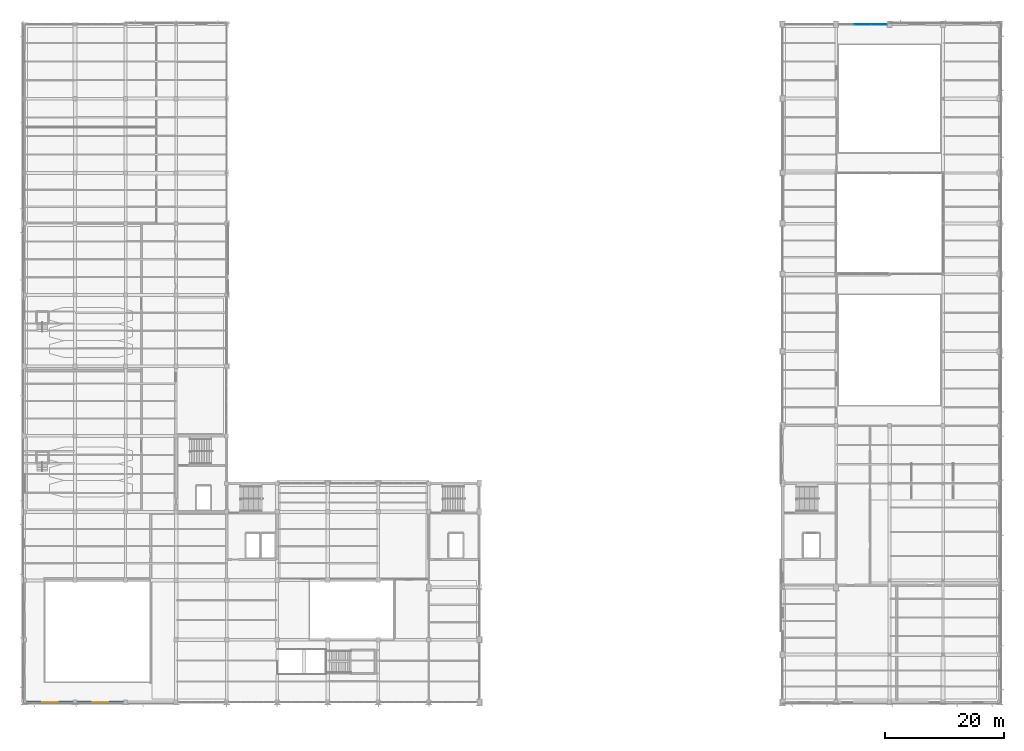
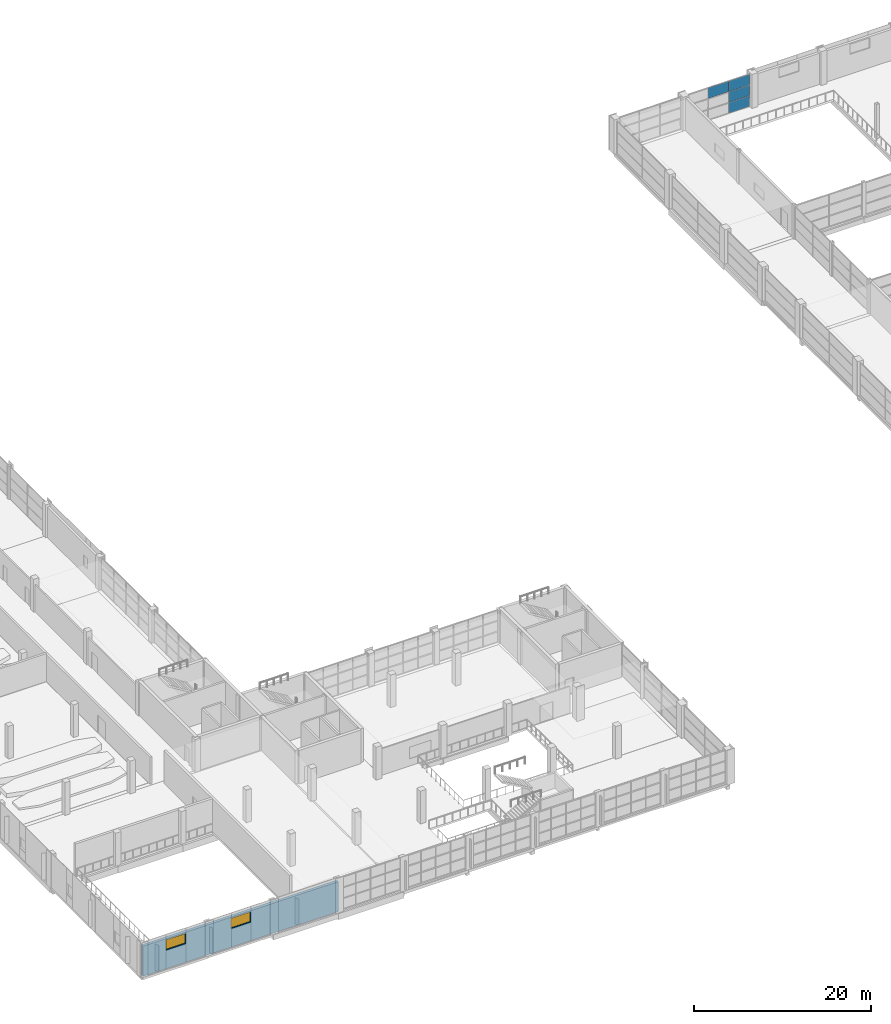
# One storey, part 89 of 112: 4 plates, 2 windows, 1 wall, 2 openings, 1 element without a shape of its own.
"""IFC4 building model written with IfcOpenShell, lengths in metres."""

from ifc_helpers import new_model, si_unit, direction, frame, frame_2d, origin, origin_with_axes, origin_2d, place, context, subcontext, project, spatial, rectangle, extrude, material, layer, layer_set, type_object, element, fill, aggregate, save


model = new_model("IFC4")

# Units and contexts
model_context = context("Model", 3, precision=1e-05, world=origin(), true_north=direction((0.0, 1.0)))
body_context = subcontext(model_context, "Body", "Model", "MODEL_VIEW")
ifc_project = project(units=[si_unit("LENGTHUNIT", "METRE"), si_unit("AREAUNIT", "SQUARE_METRE"), si_unit("VOLUMEUNIT", "CUBIC_METRE"), si_unit("PLANEANGLEUNIT", "RADIAN"), si_unit("MASSUNIT", "GRAM", prefix="KILO")], contexts=[model_context])

# Site, building, storey
site_placement = place(None, origin())
site = spatial("IfcSite", under=ifc_project, at=site_placement, CompositionType="ELEMENT")
building_placement = place(site_placement, origin())
building = spatial("IfcBuilding", under=site, at=building_placement, Name="Solvikara Media Centre", CompositionType="ELEMENT")
storey_placement = place(building_placement, frame((0.0, 0.0, 5.39990234375)))
storey = spatial("IfcBuildingStorey", under=building, at=storey_placement, Name="L01", CompositionType="ELEMENT", Elevation=5.39990234375)

# Curtain wall, plates
ifc_material_1 = material(Name="Anodised aluminium EN AW-6063", Category="aluminium")
curtain_wall_type = type_object("IfcCurtainWallType", Name="CW-12", PredefinedType="NOTDEFINED", material=ifc_material_1)
curtain_wall_placement = place(storey_placement, origin())
curtain_wall = element("IfcCurtainWall", 1, at=curtain_wall_placement, inside=storey, type_object=curtain_wall_type, Name="CW-L01-V2N-S2", PredefinedType="NOTDEFINED")
ifc_material_2 = material(Name="Ceramic-fritted teal low-E glass", Category="glass")
ifc_layer_1 = layer(ifc_material_2, 0.0380859375)
ifc_layer_set_1 = layer_set([ifc_layer_1], Name="Ceramic-fritted teal low-E glass")
plate_type = type_object("IfcPlateType", Name="PN-12", PredefinedType="CURTAIN_PANEL", material=ifc_layer_set_1)
plate_1_placement = place(storey_placement, frame((141.0, 114.0, 3.008544921875), z_axis=(0.0, 0.0, 1.0), x_axis=(1.0, 0.0, 0.0)))
plate_1 = element("IfcPlate", 2, at=plate_1_placement, type_object=plate_type, Name="CW-L01-V2N-S2-P0102", PredefinedType="CURTAIN_PANEL", context=body_context, shape_type="SweptSolid", body=[
    extrude(rectangle(XDim=2.677001953125, YDim=0.0380859375, at=origin_2d()), origin(), (0.0, 0.0, 1.0), 1.45703125),
])
plate_2_placement = place(storey_placement, frame((143.70703125, 114.0, 0.03466796875), z_axis=(0.0, 0.0, 1.0), x_axis=(1.0, 0.0, 0.0)))
plate_2 = element("IfcPlate", 3, at=plate_2_placement, type_object=plate_type, Name="CW-L01-V2N-S2-P0200", PredefinedType="CURTAIN_PANEL", context=body_context, shape_type="SweptSolid", body=[
    extrude(rectangle(XDim=2.677001953125, YDim=0.0380859375, at=origin_2d()), origin(), (0.0, 0.0, 1.0), 1.45703125),
])
plate_3_placement = place(storey_placement, frame((143.70703125, 114.0, 1.521484375), z_axis=(0.0, 0.0, 1.0), x_axis=(1.0, 0.0, 0.0)))
plate_3 = element("IfcPlate", 4, at=plate_3_placement, type_object=plate_type, Name="CW-L01-V2N-S2-P0201", PredefinedType="CURTAIN_PANEL", context=body_context, shape_type="SweptSolid", body=[
    extrude(rectangle(XDim=2.677001953125, YDim=0.0380859375, at=origin_2d()), origin(), (0.0, 0.0, 1.0), 1.45703125),
])
plate_4_placement = place(storey_placement, frame((143.70703125, 114.0, 3.008544921875), z_axis=(0.0, 0.0, 1.0), x_axis=(1.0, 0.0, 0.0)))
plate_4 = element("IfcPlate", 5, at=plate_4_placement, type_object=plate_type, Name="CW-L01-V2N-S2-P0202", PredefinedType="CURTAIN_PANEL", context=body_context, shape_type="SweptSolid", body=[
    extrude(rectangle(XDim=2.677001953125, YDim=0.0380859375, at=origin_2d()), origin(), (0.0, 0.0, 1.0), 1.45703125),
])
aggregate(curtain_wall, [plate_1, plate_2, plate_3, plate_4])

# Wall, openings, windows
ifc_material_3 = material(Name="Precast concrete fc' 40 MPa (C40/50)", Category="concrete")
ifc_layer_2 = layer(ifc_material_3, 0.3798828125)
ifc_layer_set_2 = layer_set([ifc_layer_2], Name="Precast concrete fc' 40 MPa (C40/50)")
wall_type = type_object("IfcWallType", Name="WT-08", PredefinedType="STANDARD", material=ifc_layer_set_2)
wall_placement = place(storey_placement, origin_with_axes())
wall = element("IfcWall", 6, at=wall_placement, inside=storey, type_object=wall_type, Name="EW-L01-V1-S", PredefinedType="STANDARD", context=body_context, shape_type="SweptSolid", body=[
    extrude(rectangle(XDim=25.5, YDim=0.3798828125, at=frame_2d((12.75, 0.0))), origin(), (0.0, 0.0, 1.0), 4.128173828125),
])
opening_1_placement = place(wall_placement, frame((2.949951171875, 0.0, 2.568115234375)))
opening_1 = element("IfcOpeningElement", 7, at=opening_1_placement, cuts=wall, Name="Opening W-L01-V1S-W01", PredefinedType="OPENING", context=body_context, shape_type="SweptSolid", body=[
    extrude(rectangle(XDim=2.60009765625, YDim=1.39990234375, at=frame_2d((1.300048828125, 0.699951171875))), frame((0.0, 0.201904296875, 0.0), z_axis=(0.0, -1.0, 0.0), x_axis=(1.0, 0.0, 0.0)), (0.0, 0.0, 1.0), 0.40380859375),
])
opening_2_placement = place(wall_placement, frame((11.449951171875, 0.0, 2.568115234375)))
opening_2 = element("IfcOpeningElement", 8, at=opening_2_placement, cuts=wall, Name="Opening W-L01-V1S-W02", PredefinedType="OPENING", context=body_context, shape_type="SweptSolid", body=[
    extrude(rectangle(XDim=2.60009765625, YDim=1.39990234375, at=frame_2d((1.300048828125, 0.699951171875))), frame((0.0, 0.201904296875, 0.0), z_axis=(0.0, -1.0, 0.0), x_axis=(1.0, 0.0, 0.0)), (0.0, 0.0, 1.0), 0.40380859375),
])
ifc_material_4 = material(Name="Double-glazed low-E architectural glass", Category="glass")
window_type = type_object("IfcWindowType", Name="WN-09", PartitioningType="SINGLE_PANEL", PredefinedType="WINDOW", material=ifc_material_4)
window_1_placement = place(opening_1_placement, origin())
window_1 = element("IfcWindow", 9, at=window_1_placement, inside=storey, type_object=window_type, Name="W-L01-V1S-W01", OverallHeight=1.39990234375, OverallWidth=2.60009765625, PartitioningType="SINGLE_PANEL", PredefinedType="WINDOW", context=body_context, shape_type="SweptSolid", body=[
    extrude(rectangle(XDim=2.60009765625, YDim=1.39990234375, at=frame_2d((1.300048828125, 0.699951171875))), frame((0.0, 0.030029296875, 0.0), z_axis=(0.0, -1.0, 0.0), x_axis=(1.0, 0.0, 0.0)), (0.0, 0.0, 1.0), 0.06005859375),
])
fill(opening_1, window_1)
window_2_placement = place(opening_2_placement, origin())
window_2 = element("IfcWindow", 10, at=window_2_placement, inside=storey, type_object=window_type, Name="W-L01-V1S-W02", OverallHeight=1.39990234375, OverallWidth=2.60009765625, PartitioningType="SINGLE_PANEL", PredefinedType="WINDOW", context=body_context, shape_type="SweptSolid", body=[
    extrude(rectangle(XDim=2.60009765625, YDim=1.39990234375, at=frame_2d((1.300048828125, 0.699951171875))), frame((0.0, 0.030029296875, 0.0), z_axis=(0.0, -1.0, 0.0), x_axis=(1.0, 0.0, 0.0)), (0.0, 0.0, 1.0), 0.06005859375),
])
fill(opening_2, window_2)

save(model, "model.ifc")
